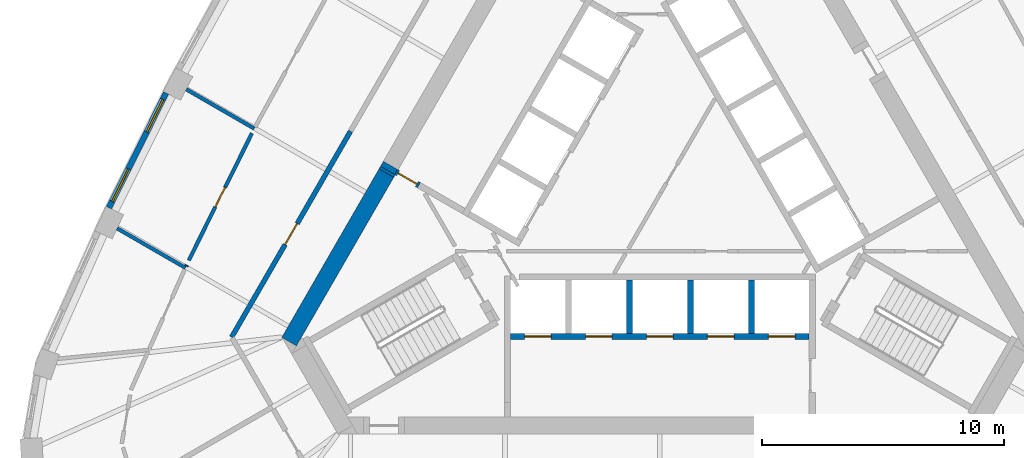
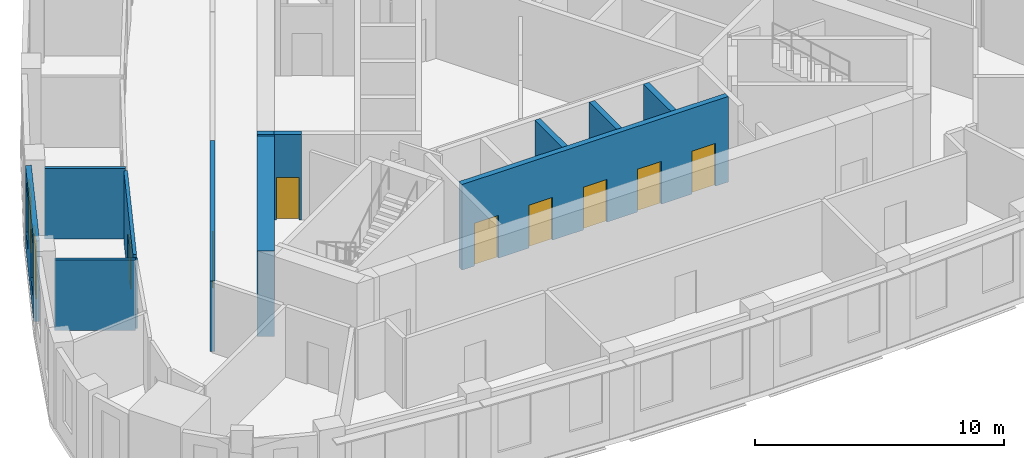
# One storey, part 4 of 11: 14 walls, 8 doors, 2 windows, 10 openings.
"""IFC4 building model written with IfcOpenShell, lengths in metres."""

from ifc_helpers import new_model, si_unit, direction, frame, frame_2d, origin, place, context, subcontext, project, spatial, polyline, rectangle, outline, extrude, material, layer, layer_set, type_object, element, fill, save


model = new_model("IFC4")

# Units and contexts
model_context = context("Model", 3, precision=1e-05, world=origin(), true_north=direction((0.0, 1.0)))
body_context = subcontext(model_context, "Body", "Model", "MODEL_VIEW")
ifc_project = project(units=[si_unit("LENGTHUNIT", "METRE"), si_unit("AREAUNIT", "SQUARE_METRE"), si_unit("VOLUMEUNIT", "CUBIC_METRE"), si_unit("PLANEANGLEUNIT", "RADIAN"), si_unit("MASSUNIT", "GRAM", prefix="KILO")], contexts=[model_context])

# Site, building, storey
site_placement = place(None, origin())
site = spatial("IfcSite", under=ifc_project, at=site_placement, CompositionType="ELEMENT")
building_placement = place(site_placement, origin())
building = spatial("IfcBuilding", under=site, at=building_placement, Name="Mestral Congress Tower", CompositionType="ELEMENT")
storey_placement = place(building_placement, frame((0.0, 0.0, 210.0)))
storey = spatial("IfcBuildingStorey", under=building, at=storey_placement, Name="L49", CompositionType="ELEMENT", Elevation=210.0)

# Walls
ifc_material_1 = material(Name="Concrete C60/75", Category="concrete")
ifc_layer_1 = layer(ifc_material_1, 0.699951171875)
ifc_layer_set_1 = layer_set([ifc_layer_1], Name="Concrete C60/75")
wall_type_1 = type_object("IfcWallType", Name="Core wall RC 700", PredefinedType="SOLIDWALL", material=ifc_layer_set_1)
wall_1_placement = place(storey_placement, frame((-11.30126953125, 0.425537109375, 0.0), z_axis=(0.0, 0.0, 1.0), x_axis=(0.50111559984, 0.865380353138, 0.0)))
element("IfcWall", 1, at=wall_1_placement, inside=storey, type_object=wall_type_1, Name="L49 core wall", PredefinedType="SOLIDWALL", context=body_context, shape_type="SweptSolid", body=[
    extrude(rectangle(XDim=0.121337890625, YDim=0.699951171875, at=frame_2d((0.060546875, 0.0))), origin(), (0.0, 0.0, 1.0), 4.199951171875),
])
wall_2_placement = place(storey_placement, frame((-15.3212890625, -6.537353515625, 0.0), z_axis=(0.0, 0.0, 1.0), x_axis=(0.500000268222, 0.866025248926, 0.0)))
element("IfcWall", 2, at=wall_2_placement, inside=storey, type_object=wall_type_1, Name="L49 core wall", PredefinedType="SOLIDWALL", context=body_context, shape_type="SweptSolid", body=[
    extrude(rectangle(XDim=8.0380859375, YDim=0.699951171875, at=frame_2d((4.01904296875, 0.0))), origin(), (0.0, 0.0, 1.0), 4.199951171875),
])
wall_3_placement = place(storey_placement, origin())
element("IfcWall", 3, at=wall_3_placement, inside=storey, type_object=wall_type_1, Name="L49 core wall", PredefinedType="SOLIDWALL", context=body_context, shape_type="SweptSolid", body=[
    extrude(outline(polyline([(-11.542724609375, 0.70751953125), (-11.423583984375, 0.91357421875), (-10.84326171875, 0.578369140625), (-10.962158203125, 0.372314453125), (-11.542724609375, 0.70751953125)])), origin(), (0.0, 0.0, 1.0), 4.199951171875),
])

# Wall, openings, windows
ifc_material_2 = material(Name="Precast concrete C40/50 with limestone facing", Category="masonry")
ifc_layer_2 = layer(ifc_material_2, 0.239990234375)
ifc_layer_set_2 = layer_set([ifc_layer_2], Name="Precast concrete C40/50 with limestone facing")
wall_type_2 = type_object("IfcWallType", Name="Facade stone wall 240", PredefinedType="SOLIDWALL", material=ifc_layer_set_2)
wall_4_placement = place(storey_placement, frame((-20.407470703125, 3.739501953125, 0.0), z_axis=(0.0, 0.0, 1.0), x_axis=(-0.445129582031, -0.895466166419, 0.0)))
wall_4 = element("IfcWall", 4, at=wall_4_placement, inside=storey, type_object=wall_type_2, Name="Facade wall F2-04", PredefinedType="SOLIDWALL", context=body_context, shape_type="SweptSolid", body=[
    extrude(rectangle(XDim=5.29833984375, YDim=0.239990234375, at=frame_2d((2.649169921875, 0.0))), origin(), (0.0, 0.0, 1.0), 3.949951171875),
])
opening_1_placement = place(wall_4_placement, frame((0.294677734375, 0.0, 0.89990234375)))
opening_1 = element("IfcOpeningElement", 5, at=opening_1_placement, cuts=wall_4, Name="Opening W4", PredefinedType="OPENING", context=body_context, shape_type="SweptSolid", body=[
    extrude(rectangle(XDim=1.5, YDim=2.550048828125, at=frame_2d((0.75, 1.27490234375))), frame((0.0, 0.1298828125, 0.0), z_axis=(0.0, -1.0, 0.0), x_axis=(1.0, 0.0, 0.0)), (0.0, 0.0, 1.0), 0.260009765625),
])
opening_2_placement = place(wall_4_placement, frame((3.503662109375, 0.0, 0.89990234375)))
opening_2 = element("IfcOpeningElement", 6, at=opening_2_placement, cuts=wall_4, Name="Opening W4", PredefinedType="OPENING", context=body_context, shape_type="SweptSolid", body=[
    extrude(rectangle(XDim=1.5, YDim=2.550048828125, at=frame_2d((0.75, 1.27490234375))), frame((0.0, 0.1298828125, 0.0), z_axis=(0.0, -1.0, 0.0), x_axis=(1.0, 0.0, 0.0)), (0.0, 0.0, 1.0), 0.260009765625),
])
ifc_material_3 = material(Name="Clear low-emissivity double glazing", Category="glass")
window_type = type_object("IfcWindowType", Name="Facade punched window 1500 x 2550 sill 900", PartitioningType="SINGLE_PANEL", PredefinedType="WINDOW", material=ifc_material_3)
window_1_placement = place(opening_1_placement, origin())
window_1 = element("IfcWindow", 7, at=window_1_placement, inside=storey, type_object=window_type, Name="Window F2-04a", OverallHeight=2.550048828125, OverallWidth=1.5, PartitioningType="SINGLE_PANEL", PredefinedType="WINDOW", context=body_context, shape_type="SweptSolid", body=[
    extrude(rectangle(XDim=1.5, YDim=2.550048828125, at=frame_2d((0.75, 1.27490234375))), frame((0.0, 0.0400390625, 0.0), z_axis=(0.0, -1.0, 0.0), x_axis=(1.0, 0.0, 0.0)), (0.0, 0.0, 1.0), 0.06005859375),
])
fill(opening_1, window_1)
window_2_placement = place(opening_2_placement, origin())
window_2 = element("IfcWindow", 8, at=window_2_placement, inside=storey, type_object=window_type, Name="Window F2-04b", OverallHeight=2.550048828125, OverallWidth=1.5, PartitioningType="SINGLE_PANEL", PredefinedType="WINDOW", context=body_context, shape_type="SweptSolid", body=[
    extrude(rectangle(XDim=1.5, YDim=2.550048828125, at=frame_2d((0.75, 1.27490234375))), frame((0.0, 0.0400390625, 0.0), z_axis=(0.0, -1.0, 0.0), x_axis=(1.0, 0.0, 0.0)), (0.0, 0.0, 1.0), 0.06005859375),
])
fill(opening_2, window_2)

# Walls
ifc_material_4 = material(Name="Plasterboard partition on steel studs", Category="steel")
ifc_layer_3 = layer(ifc_material_4, 0.14990234375)
ifc_layer_set_3 = layer_set([ifc_layer_3], Name="Plasterboard partition on steel studs")
wall_type_3 = type_object("IfcWallType", Name="Office partition 150", PredefinedType="PARTITIONING", material=ifc_layer_set_3)
wall_5_placement = place(storey_placement, frame((-16.761474609375, 2.267578125, 0.0), z_axis=(0.0, 0.0, 1.0), x_axis=(-0.866022812202, 0.500004488726, 0.0)))
element("IfcWall", 9, at=wall_5_placement, inside=storey, type_object=wall_type_3, Name="Partition", PredefinedType="PARTITIONING", context=body_context, shape_type="SweptSolid", body=[
    extrude(rectangle(XDim=3.2470703125, YDim=0.14990234375, at=frame_2d((1.62353515625, 0.0))), origin(), (0.0, 0.0, 1.0), 3.449951171875),
])
wall_6_placement = place(storey_placement, frame((-19.606201171875, -3.48681640625, 0.0), z_axis=(0.0, 0.0, 1.0), x_axis=(-0.866017179828, 0.50001424404, 0.0)))
element("IfcWall", 10, at=wall_6_placement, inside=storey, type_object=wall_type_3, Name="Partition", PredefinedType="PARTITIONING", context=body_context, shape_type="SweptSolid", body=[
    extrude(rectangle(XDim=3.25927734375, YDim=0.14990234375, at=frame_2d((1.629638671875, 0.0))), origin(), (0.0, 0.0, 1.0), 3.449951171875),
])

# Wall, opening, door
wall_7_placement = place(storey_placement, frame((-19.46728515625, -3.17529296875, 0.0), z_axis=(0.0, 0.0, 1.0), x_axis=(0.445180755526, 0.895440726631, 0.0)))
wall_7 = element("IfcWall", 11, at=wall_7_placement, inside=storey, type_object=wall_type_3, Name="Partition", PredefinedType="PARTITIONING", context=body_context, shape_type="SweptSolid", body=[
    extrude(rectangle(XDim=5.864013671875, YDim=0.14990234375, at=frame_2d((2.93212890625, 0.0))), origin(), (0.0, 0.0, 1.0), 3.449951171875),
])
opening_3_placement = place(wall_7_placement, frame((2.464111328125, 0.0, 0.0)))
opening_3 = element("IfcOpeningElement", 12, at=opening_3_placement, cuts=wall_7, Name="Opening O06-015", PredefinedType="OPENING", context=body_context, shape_type="SweptSolid", body=[
    extrude(rectangle(XDim=0.89990234375, YDim=2.10009765625, at=frame_2d((0.449951171875, 1.050048828125))), frame((0.0, 0.0849609375, 0.0), z_axis=(0.0, -1.0, 0.0), x_axis=(1.0, 0.0, 0.0)), (0.0, 0.0, 1.0), 0.169921875),
])
ifc_material_5 = material(Name="Timber door set", Category="wood")
door_type_1 = type_object("IfcDoorType", Name="Office door 900x2100", OperationType="SINGLE_SWING_LEFT", PredefinedType="DOOR", material=ifc_material_5)
door_1_placement = place(opening_3_placement, origin())
door_1 = element("IfcDoor", 13, at=door_1_placement, inside=storey, type_object=door_type_1, Name="Door O06-015", OperationType="SINGLE_SWING_LEFT", OverallHeight=2.10009765625, OverallWidth=0.89990234375, PredefinedType="DOOR", context=body_context, shape_type="SweptSolid", body=[
    extrude(rectangle(XDim=0.89990234375, YDim=2.10009765625, at=frame_2d((0.449951171875, 1.050048828125))), frame((0.0, 0.02490234375, 0.0), z_axis=(0.0, -1.0, 0.0), x_axis=(1.0, 0.0, 0.0)), (0.0, 0.0, 1.0), 0.050048828125),
])
fill(opening_3, door_1)

# Wall
wall_8_placement = place(storey_placement, frame((-19.554443359375, -3.370849609375, 0.0), z_axis=(0.0, 0.0, 1.0), x_axis=(-0.408782924594, -0.912631645605, 0.0)))
element("IfcWall", 14, at=wall_8_placement, inside=storey, type_object=wall_type_3, Name="Partition", PredefinedType="PARTITIONING", context=body_context, shape_type="SweptSolid", body=[
    extrude(rectangle(XDim=0.05126953125, YDim=0.14990234375, at=frame_2d((0.025634765625, 0.0))), origin(), (0.0, 0.0, 1.0), 3.449951171875),
])

# Wall, opening, door
ifc_material_6 = material(Name="Dense masonry wall, plastered", Category="masonry")
ifc_layer_4 = layer(ifc_material_6, 0.199951171875)
ifc_layer_set_4 = layer_set([ifc_layer_4], Name="Dense masonry wall, plastered")
wall_type_4 = type_object("IfcWallType", Name="Office tenancy wall 200", PredefinedType="PARTITIONING", material=ifc_layer_set_4)
wall_9_placement = place(storey_placement, frame((-12.787109375, 2.15185546875, 0.0), z_axis=(0.0, 0.0, 1.0), x_axis=(-0.50000660679, -0.866021589319, 0.0)))
wall_9 = element("IfcWall", 15, at=wall_9_placement, inside=storey, type_object=wall_type_4, Name="Tenancy wall", PredefinedType="PARTITIONING", context=body_context, shape_type="SweptSolid", body=[
    extrude(rectangle(XDim=9.817138671875, YDim=0.199951171875, at=frame_2d((4.90869140625, 0.0))), origin(), (0.0, 0.0, 1.0), 3.449951171875),
])
opening_4_placement = place(wall_9_placement, frame((4.39990234375, 0.0, 0.0)))
opening_4 = element("IfcOpeningElement", 16, at=opening_4_placement, cuts=wall_9, Name="Opening O06-018", PredefinedType="OPENING", context=body_context, shape_type="SweptSolid", body=[
    extrude(rectangle(XDim=1.0, YDim=2.10009765625, at=frame_2d((0.5, 1.050048828125))), frame((0.0, 0.10986328125, 0.0), z_axis=(0.0, -1.0, 0.0), x_axis=(1.0, 0.0, 0.0)), (0.0, 0.0, 1.0), 0.219970703125),
])
ifc_material_7 = material(Name="Fire-rated timber door set", Category="wood")
door_type_2 = type_object("IfcDoorType", Name="Office tenancy entrance door 1000x2100", OperationType="SINGLE_SWING_LEFT", PredefinedType="DOOR", material=ifc_material_7)
door_2_placement = place(opening_4_placement, origin())
door_2 = element("IfcDoor", 17, at=door_2_placement, inside=storey, type_object=door_type_2, Name="Door O06-018", OperationType="SINGLE_SWING_LEFT", OverallHeight=2.10009765625, OverallWidth=1.0, PredefinedType="DOOR", context=body_context, shape_type="SweptSolid", body=[
    extrude(rectangle(XDim=1.0, YDim=2.10009765625, at=frame_2d((0.5, 1.050048828125))), frame((0.0, 0.02490234375, 0.0), z_axis=(0.0, -1.0, 0.0), x_axis=(1.0, 0.0, 0.0)), (0.0, 0.0, 1.0), 0.050048828125),
])
fill(opening_4, door_2)

# Walls
ifc_layer_5 = layer(ifc_material_1, 0.25)
ifc_layer_set_5 = layer_set([ifc_layer_5], Name="Concrete C60/75")
wall_type_5 = type_object("IfcWallType", Name="Shaft wall RC 250", PredefinedType="SOLIDWALL", material=ifc_layer_set_5)
for number, where, z_axis, x_axis, name in (
    (18, (3.780029296875, -4.0, 0.0), (0.0, 0.0, 1.0), (0.0, -1.0, 0.0), "L49 core wall"),
    (19, (1.260009765625, -4.0, 0.0), (0.0, 0.0, 1.0), (0.0, -1.0, 0.0), "L49 core wall"),
    (20, (-1.260009765625, -4.0, 0.0), (0.0, 0.0, 1.0), (0.0, -1.0, 0.0), "L49 core wall"),
):
    element("IfcWall", number, at=place(storey_placement, frame(where, z_axis=z_axis, x_axis=x_axis)), inside=storey, type_object=wall_type_5, Name=name, PredefinedType="SOLIDWALL", context=body_context, shape_type="SweptSolid", body=[
        extrude(rectangle(XDim=2.199951171875, YDim=0.25, at=frame_2d((1.10009765625, 0.0))), origin(), (0.0, 0.0, 1.0), 4.199951171875),
    ])

# Wall, openings, doors
wall_10_placement = place(storey_placement, frame((-6.175048828125, -6.324951171875, 0.0), z_axis=(0.0, 0.0, 1.0), x_axis=(1.0, 0.0, 0.0)))
wall_10 = element("IfcWall", 21, at=wall_10_placement, inside=storey, type_object=wall_type_5, Name="L49 door wall", PredefinedType="SOLIDWALL", context=body_context, shape_type="SweptSolid", body=[
    extrude(rectangle(XDim=12.35009765625, YDim=0.25, at=frame_2d((6.175048828125, 0.0))), origin(), (0.0, 0.0, 1.0), 4.199951171875),
])
opening_5_placement = place(wall_10_placement, frame((0.5849609375, 0.0, 0.0)))
opening_5 = element("IfcOpeningElement", 22, at=opening_5_placement, cuts=wall_10, Name="Opening LD-SOB1", PredefinedType="OPENING", context=body_context, shape_type="SweptSolid", body=[
    extrude(rectangle(XDim=1.10009765625, YDim=2.10009765625, at=frame_2d((0.550048828125, 1.050048828125))), frame((0.0, 0.135009765625, 0.0), z_axis=(0.0, -1.0, 0.0), x_axis=(1.0, 0.0, 0.0)), (0.0, 0.0, 1.0), 0.27001953125),
])
opening_6_placement = place(wall_10_placement, frame((3.10498046875, 0.0, 0.0)))
opening_6 = element("IfcOpeningElement", 23, at=opening_6_placement, cuts=wall_10, Name="Opening LD-SOB2", PredefinedType="OPENING", context=body_context, shape_type="SweptSolid", body=[
    extrude(rectangle(XDim=1.10009765625, YDim=2.10009765625, at=frame_2d((0.550048828125, 1.050048828125))), frame((0.0, 0.135009765625, 0.0), z_axis=(0.0, -1.0, 0.0), x_axis=(1.0, 0.0, 0.0)), (0.0, 0.0, 1.0), 0.27001953125),
])
opening_7_placement = place(wall_10_placement, frame((5.625, 0.0, 0.0)))
opening_7 = element("IfcOpeningElement", 24, at=opening_7_placement, cuts=wall_10, Name="Opening LD-SOB3", PredefinedType="OPENING", context=body_context, shape_type="SweptSolid", body=[
    extrude(rectangle(XDim=1.10009765625, YDim=2.10009765625, at=frame_2d((0.550048828125, 1.050048828125))), frame((0.0, 0.135009765625, 0.0), z_axis=(0.0, -1.0, 0.0), x_axis=(1.0, 0.0, 0.0)), (0.0, 0.0, 1.0), 0.27001953125),
])
opening_8_placement = place(wall_10_placement, frame((8.14501953125, 0.0, 0.0)))
opening_8 = element("IfcOpeningElement", 25, at=opening_8_placement, cuts=wall_10, Name="Opening LD-SOB4", PredefinedType="OPENING", context=body_context, shape_type="SweptSolid", body=[
    extrude(rectangle(XDim=1.10009765625, YDim=2.10009765625, at=frame_2d((0.550048828125, 1.050048828125))), frame((0.0, 0.135009765625, 0.0), z_axis=(0.0, -1.0, 0.0), x_axis=(1.0, 0.0, 0.0)), (0.0, 0.0, 1.0), 0.27001953125),
])
opening_9_placement = place(wall_10_placement, frame((10.6650390625, 0.0, 0.0)))
opening_9 = element("IfcOpeningElement", 26, at=opening_9_placement, cuts=wall_10, Name="Opening LD-SOB5", PredefinedType="OPENING", context=body_context, shape_type="SweptSolid", body=[
    extrude(rectangle(XDim=1.10009765625, YDim=2.10009765625, at=frame_2d((0.550048828125, 1.050048828125))), frame((0.0, 0.135009765625, 0.0), z_axis=(0.0, -1.0, 0.0), x_axis=(1.0, 0.0, 0.0)), (0.0, 0.0, 1.0), 0.27001953125),
])
ifc_material_8 = material(Name="Fire-rated steel door set", Category="steel")
door_type_3 = type_object("IfcDoorType", Name="Core door LD 1100x2100", OperationType="DOUBLE_DOOR_SLIDING", PredefinedType="DOOR", material=ifc_material_8)
door_3_placement = place(opening_5_placement, origin())
door_3 = element("IfcDoor", 27, at=door_3_placement, inside=storey, type_object=door_type_3, Name="Door LD-SOB1", OperationType="DOUBLE_DOOR_SLIDING", OverallHeight=2.10009765625, OverallWidth=1.10009765625, PredefinedType="DOOR", context=body_context, shape_type="SweptSolid", body=[
    extrude(rectangle(XDim=1.10009765625, YDim=2.10009765625, at=frame_2d((0.550048828125, 1.050048828125))), frame((0.0, 0.02490234375, 0.0), z_axis=(0.0, -1.0, 0.0), x_axis=(1.0, 0.0, 0.0)), (0.0, 0.0, 1.0), 0.050048828125),
])
fill(opening_5, door_3)
door_4_placement = place(opening_6_placement, origin())
door_4 = element("IfcDoor", 28, at=door_4_placement, inside=storey, type_object=door_type_3, Name="Door LD-SOB2", OperationType="DOUBLE_DOOR_SLIDING", OverallHeight=2.10009765625, OverallWidth=1.10009765625, PredefinedType="DOOR", context=body_context, shape_type="SweptSolid", body=[
    extrude(rectangle(XDim=1.10009765625, YDim=2.10009765625, at=frame_2d((0.550048828125, 1.050048828125))), frame((0.0, 0.02490234375, 0.0), z_axis=(0.0, -1.0, 0.0), x_axis=(1.0, 0.0, 0.0)), (0.0, 0.0, 1.0), 0.050048828125),
])
fill(opening_6, door_4)
door_5_placement = place(opening_7_placement, origin())
door_5 = element("IfcDoor", 29, at=door_5_placement, inside=storey, type_object=door_type_3, Name="Door LD-SOB3", OperationType="DOUBLE_DOOR_SLIDING", OverallHeight=2.10009765625, OverallWidth=1.10009765625, PredefinedType="DOOR", context=body_context, shape_type="SweptSolid", body=[
    extrude(rectangle(XDim=1.10009765625, YDim=2.10009765625, at=frame_2d((0.550048828125, 1.050048828125))), frame((0.0, 0.02490234375, 0.0), z_axis=(0.0, -1.0, 0.0), x_axis=(1.0, 0.0, 0.0)), (0.0, 0.0, 1.0), 0.050048828125),
])
fill(opening_7, door_5)
door_6_placement = place(opening_8_placement, origin())
door_6 = element("IfcDoor", 30, at=door_6_placement, inside=storey, type_object=door_type_3, Name="Door LD-SOB4", OperationType="DOUBLE_DOOR_SLIDING", OverallHeight=2.10009765625, OverallWidth=1.10009765625, PredefinedType="DOOR", context=body_context, shape_type="SweptSolid", body=[
    extrude(rectangle(XDim=1.10009765625, YDim=2.10009765625, at=frame_2d((0.550048828125, 1.050048828125))), frame((0.0, 0.02490234375, 0.0), z_axis=(0.0, -1.0, 0.0), x_axis=(1.0, 0.0, 0.0)), (0.0, 0.0, 1.0), 0.050048828125),
])
fill(opening_8, door_6)
door_7_placement = place(opening_9_placement, origin())
door_7 = element("IfcDoor", 31, at=door_7_placement, inside=storey, type_object=door_type_3, Name="Door LD-SOB5", OperationType="DOUBLE_DOOR_SLIDING", OverallHeight=2.10009765625, OverallWidth=1.10009765625, PredefinedType="DOOR", context=body_context, shape_type="SweptSolid", body=[
    extrude(rectangle(XDim=1.10009765625, YDim=2.10009765625, at=frame_2d((0.550048828125, 1.050048828125))), frame((0.0, 0.02490234375, 0.0), z_axis=(0.0, -1.0, 0.0), x_axis=(1.0, 0.0, 0.0)), (0.0, 0.0, 1.0), 0.050048828125),
])
fill(opening_9, door_7)

# Wall, opening, door
wall_11_placement = place(storey_placement, frame((-9.9501953125, -0.074951171875, 0.0), z_axis=(0.0, 0.0, 1.0), x_axis=(-0.865952669392, 0.500125958508, 0.0)))
wall_11 = element("IfcWall", 32, at=wall_11_placement, inside=storey, type_object=wall_type_5, Name="L49 door wall", PredefinedType="SOLIDWALL", context=body_context, shape_type="SweptSolid", body=[
    extrude(rectangle(XDim=1.099853515625, YDim=0.25, at=frame_2d((0.5498046875, 0.0))), origin(), (0.0, 0.0, 1.0), 4.199951171875),
])
opening_10_placement = place(wall_11_placement, frame((0.10009765625, 0.0, 0.0)))
opening_10 = element("IfcOpeningElement", 33, at=opening_10_placement, cuts=wall_11, Name="Opening TD3", PredefinedType="OPENING", context=body_context, shape_type="SweptSolid", body=[
    extrude(rectangle(XDim=0.89990234375, YDim=2.10009765625, at=frame_2d((0.449951171875, 1.050048828125))), frame((0.0, 0.135009765625, 0.0), z_axis=(0.0, -1.0, 0.0), x_axis=(1.0, 0.0, 0.0)), (0.0, 0.0, 1.0), 0.27001953125),
])
door_type_4 = type_object("IfcDoorType", Name="Core door SR 900x2100", OperationType="SINGLE_SWING_LEFT", PredefinedType="DOOR", material=ifc_material_8)
door_8_placement = place(opening_10_placement, origin())
door_8 = element("IfcDoor", 34, at=door_8_placement, inside=storey, type_object=door_type_4, Name="Door TD3", OperationType="SINGLE_SWING_LEFT", OverallHeight=2.10009765625, OverallWidth=0.89990234375, PredefinedType="DOOR", context=body_context, shape_type="SweptSolid", body=[
    extrude(rectangle(XDim=0.89990234375, YDim=2.10009765625, at=frame_2d((0.449951171875, 1.050048828125))), frame((0.0, 0.02490234375, 0.0), z_axis=(0.0, -1.0, 0.0), x_axis=(1.0, 0.0, 0.0)), (0.0, 0.0, 1.0), 0.050048828125),
])
fill(opening_10, door_8)

save(model, "model.ifc")
